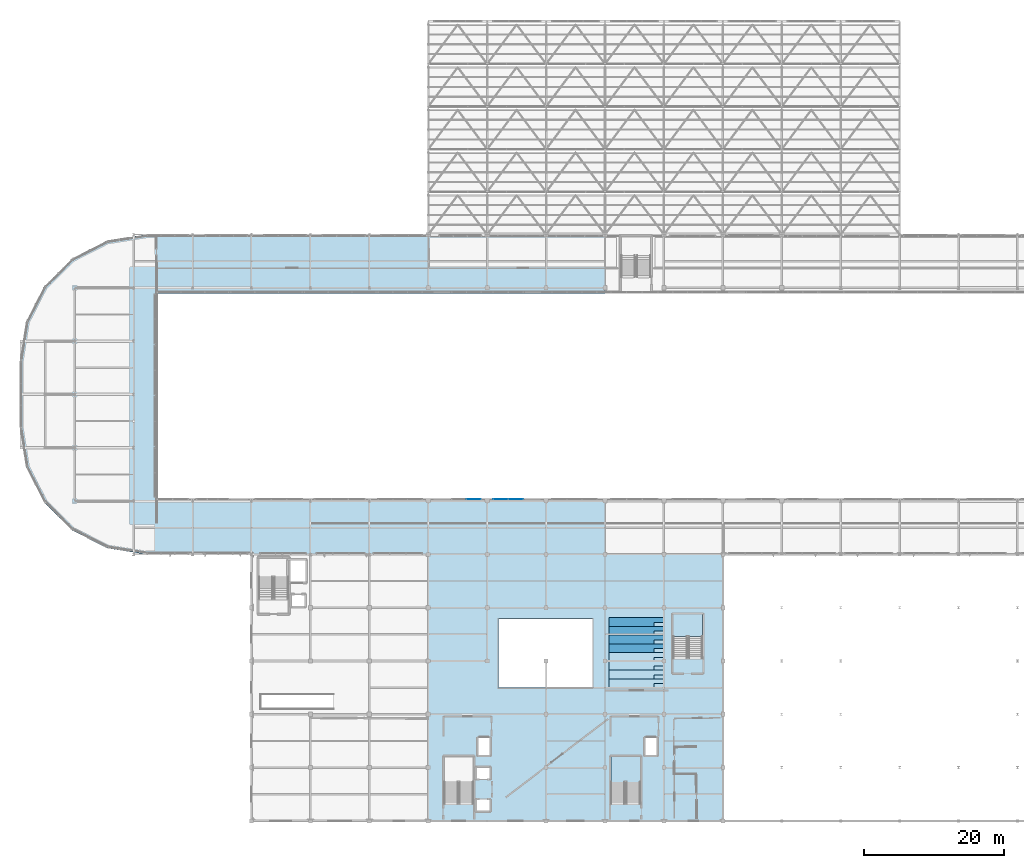
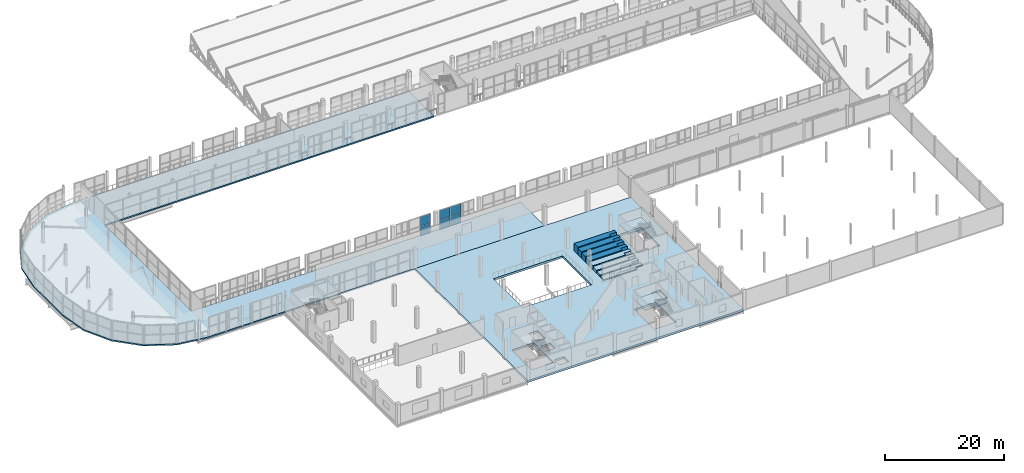
# One storey, part 166 of 217: 12 slabs, 6 plates, 4 elements without a shape of their own.
"""IFC4 building model written with IfcOpenShell, lengths in metres."""

from ifc_helpers import new_model, si_unit, direction, frame, origin, origin_2d, place, context, subcontext, project, spatial, polyline, rectangle, outline, extrude, material, layer, layer_set, type_object, element, aggregate, save


model = new_model("IFC4")

# Units and contexts
model_context = context("Model", 3, precision=1e-05, world=origin(), true_north=direction((0.0, 1.0)))
body_context = subcontext(model_context, "Body", "Model", "MODEL_VIEW")
ifc_project = project(units=[si_unit("LENGTHUNIT", "METRE"), si_unit("AREAUNIT", "SQUARE_METRE"), si_unit("VOLUMEUNIT", "CUBIC_METRE"), si_unit("PLANEANGLEUNIT", "RADIAN"), si_unit("MASSUNIT", "GRAM", prefix="KILO")], contexts=[model_context])

# Site, building, storey
site_placement = place(None, origin())
site = spatial("IfcSite", under=ifc_project, at=site_placement, CompositionType="ELEMENT")
building_placement = place(site_placement, origin())
building = spatial("IfcBuilding", under=site, at=building_placement, Name="Zuvorla Pavilion Media Centre", CompositionType="ELEMENT")
storey_placement = place(building_placement, frame((0.0, 0.0, 9.60009765625)))
storey = spatial("IfcBuildingStorey", under=building, at=storey_placement, Name="L02", CompositionType="ELEMENT", Elevation=9.60009765625)

# Curtain wall, plates
ifc_material_1 = material(Name="Unitised anodised aluminium and solar glass curtain wall", Category="aluminium")
curtain_wall_type_1 = type_object("IfcCurtainWallType", Name="CW-SYS-40", PredefinedType="USERDEFINED", material=ifc_material_1)
curtain_wall_1_placement = place(storey_placement, origin())
curtain_wall_1 = element("IfcCurtainWall", 1, at=curtain_wall_1_placement, inside=storey, type_object=curtain_wall_type_1, Name="L02 curtain wall CW40 61", ObjectType="CURTAIN WALL", PredefinedType="USERDEFINED")
ifc_material_2 = material(Name="Acoustic laminated solar glazing", Category="glass")
ifc_layer_1 = layer(ifc_material_2, 0.033935546875)
ifc_layer_set_1 = layer_set([ifc_layer_1], Name="Acoustic laminated solar glazing")
plate_type = type_object("IfcPlateType", Name="CW-PNL-34", PredefinedType="CURTAIN_PANEL", material=ifc_layer_set_1)
plate_1_placement = place(storey_placement, frame((73.30224609375, 51.840087890625, 0.02978515625), z_axis=(0.0, 0.0, 1.0), x_axis=(1.0, 0.0, 0.0)))
plate_1 = element("IfcPlate", 2, at=plate_1_placement, type_object=plate_type, Name="CW40 panel 2.1", PredefinedType="CURTAIN_PANEL", context=body_context, shape_type="SweptSolid", body=[
    extrude(rectangle(XDim=2.034912109375, YDim=0.033935546875, at=origin_2d()), origin(), (0.0, 0.0, 1.0), 1.9150390625),
])
plate_2_placement = place(storey_placement, frame((73.30224609375, 51.840087890625, 2.0048828125), z_axis=(0.0, 0.0, 1.0), x_axis=(1.0, 0.0, 0.0)))
plate_2 = element("IfcPlate", 3, at=plate_2_placement, type_object=plate_type, Name="CW40 panel 2.2", PredefinedType="CURTAIN_PANEL", context=body_context, shape_type="SweptSolid", body=[
    extrude(rectangle(XDim=2.034912109375, YDim=0.033935546875, at=origin_2d()), origin(), (0.0, 0.0, 1.0), 1.9150390625),
])
aggregate(curtain_wall_1, [plate_1, plate_2])

curtain_wall_type_2 = type_object("IfcCurtainWallType", Name="CW-SYS-41", PredefinedType="USERDEFINED", material=ifc_material_1)
curtain_wall_2_placement = place(storey_placement, origin())
curtain_wall_2 = element("IfcCurtainWall", 4, at=curtain_wall_2_placement, inside=storey, type_object=curtain_wall_type_2, Name="L02 curtain wall CW41 62", ObjectType="CURTAIN WALL", PredefinedType="USERDEFINED")
plate_3_placement = place(storey_placement, frame((77.122802734375, 51.840087890625, 0.02978515625), z_axis=(0.0, 0.0, 1.0), x_axis=(1.0, 0.0, 0.0)))
plate_3 = element("IfcPlate", 5, at=plate_3_placement, type_object=plate_type, Name="CW41 panel 1.1", PredefinedType="CURTAIN_PANEL", context=body_context, shape_type="SweptSolid", body=[
    extrude(rectangle(XDim=2.0849609375, YDim=0.033935546875, at=origin_2d()), origin(), (0.0, 0.0, 1.0), 1.9150390625),
])
plate_4_placement = place(storey_placement, frame((77.122802734375, 51.840087890625, 2.0048828125), z_axis=(0.0, 0.0, 1.0), x_axis=(1.0, 0.0, 0.0)))
plate_4 = element("IfcPlate", 6, at=plate_4_placement, type_object=plate_type, Name="CW41 panel 1.2", PredefinedType="CURTAIN_PANEL", context=body_context, shape_type="SweptSolid", body=[
    extrude(rectangle(XDim=2.0849609375, YDim=0.033935546875, at=origin_2d()), origin(), (0.0, 0.0, 1.0), 1.9150390625),
])
plate_5_placement = place(storey_placement, frame((79.267578125, 51.840087890625, 0.02978515625), z_axis=(0.0, 0.0, 1.0), x_axis=(1.0, 0.0, 0.0)))
plate_5 = element("IfcPlate", 7, at=plate_5_placement, type_object=plate_type, Name="CW41 panel 2.1", PredefinedType="CURTAIN_PANEL", context=body_context, shape_type="SweptSolid", body=[
    extrude(rectangle(XDim=2.0849609375, YDim=0.033935546875, at=origin_2d()), origin(), (0.0, 0.0, 1.0), 1.9150390625),
])
plate_6_placement = place(storey_placement, frame((79.267578125, 51.840087890625, 2.0048828125), z_axis=(0.0, 0.0, 1.0), x_axis=(1.0, 0.0, 0.0)))
plate_6 = element("IfcPlate", 8, at=plate_6_placement, type_object=plate_type, Name="CW41 panel 2.2", PredefinedType="CURTAIN_PANEL", context=body_context, shape_type="SweptSolid", body=[
    extrude(rectangle(XDim=2.0849609375, YDim=0.033935546875, at=origin_2d()), origin(), (0.0, 0.0, 1.0), 1.9150390625),
])
aggregate(curtain_wall_2, [plate_3, plate_4, plate_5, plate_6])

# Slabs
ifc_material_3 = material(Name="Concrete C40/50", Category="concrete")
ifc_layer_2 = layer(ifc_material_3, 0.260009765625)
ifc_layer_set_2 = layer_set([ifc_layer_2], Name="Concrete C40/50")
slab_type_1 = type_object("IfcSlabType", Name="SLB-FLR-260", PredefinedType="FLOOR", material=ifc_layer_set_2)
slab_1_placement = place(storey_placement, frame((0.0, 0.0, -0.260009765625)))
element("IfcSlab", 9, at=slab_1_placement, inside=storey, type_object=slab_type_1, Name="L02 floor slab RING", PredefinedType="FLOOR", context=body_context, shape_type="SweptSolid", body=[
    extrude(outline(polyline([(21.03759765625, 44.881103515625), (16.02001953125, 47.437744140625), (12.03759765625, 51.419921875), (9.48095703125, 56.437744140625), (8.60009765625, 62.0), (8.60009765625, 71.60009765625), (9.48095703125, 77.162353515625), (12.03759765625, 82.18017578125), (16.02001953125, 86.162353515625), (21.03759765625, 88.718994140625), (26.60009765625, 89.60009765625), (92.0, 89.60009765625), (92.0, 81.199951171875), (28.0, 81.199951171875), (28.0, 52.0), (92.0, 52.0), (92.0, 44.0), (26.60009765625, 44.0), (21.03759765625, 44.881103515625)])), origin(), (0.0, 0.0, 1.0), 0.260009765625),
])
ifc_layer_3 = layer(ifc_material_3, 0.419921875)
ifc_layer_set_3 = layer_set([ifc_layer_3], Name="Concrete C40/50")
slab_type_2 = type_object("IfcSlabType", Name="SLB-FLR-400", PredefinedType="FLOOR", material=ifc_layer_set_3)
slab_2_placement = place(storey_placement, frame((0.0, 0.0, -0.420166015625)))
element("IfcSlab", 10, at=slab_2_placement, inside=storey, type_object=slab_type_2, Name="L02 floor slab CB", PredefinedType="FLOOR", context=body_context, shape_type="SweptSolid", body=[
    extrude(outline(polyline([(66.800048828125, 6.0), (66.800048828125, 44.0), (108.800048828125, 44.0), (108.800048828125, 6.0), (66.800048828125, 6.0)]), holes=[polyline([(73.669921875, 9.030029296875), (73.669921875, 7.3701171875), (75.6298828125, 7.3701171875), (75.6298828125, 9.030029296875), (73.669921875, 9.030029296875)]), polyline([(69.050048828125, 15.14990234375), (69.050048828125, 8.449951171875), (73.25, 8.449951171875), (73.25, 15.14990234375), (69.050048828125, 15.14990234375)]), polyline([(92.85009765625, 15.14990234375), (92.85009765625, 8.449951171875), (97.050048828125, 8.449951171875), (97.050048828125, 15.14990234375), (92.85009765625, 15.14990234375)]), polyline([(73.669921875, 13.6298828125), (73.669921875, 11.969970703125), (75.6298828125, 11.969970703125), (75.6298828125, 13.6298828125), (73.669921875, 13.6298828125)]), polyline([(73.8701171875, 17.8798828125), (73.8701171875, 15.320068359375), (75.6298828125, 15.320068359375), (75.6298828125, 17.8798828125), (73.8701171875, 17.8798828125)]), polyline([(97.669921875, 17.8798828125), (97.669921875, 15.320068359375), (99.429931640625, 15.320068359375), (99.429931640625, 17.8798828125), (97.669921875, 17.8798828125)]), polyline([(76.800048828125, 34.800048828125), (76.800048828125, 25.0), (90.199951171875, 25.0), (90.199951171875, 34.800048828125), (76.800048828125, 34.800048828125)]), polyline([(101.699951171875, 35.449951171875), (101.699951171875, 29.199951171875), (105.89990234375, 29.199951171875), (105.89990234375, 35.449951171875), (101.699951171875, 35.449951171875)])]), origin(), (0.0, 0.0, 1.0), 0.420166015625),
])

# Stair, slab
stair_type = type_object("IfcStairType", Name="STR-DOG-420", PredefinedType="TWO_STRAIGHT_RUN_STAIR", material=ifc_material_3)
stair_1_placement = place(storey_placement, origin())
stair_1 = element("IfcStair", 11, at=stair_1_placement, inside=storey, type_object=stair_type, Name="L02 exit stair ST-02", PredefinedType="TWO_STRAIGHT_RUN_STAIR")
ifc_layer_4 = layer(ifc_material_3, 0.199951171875)
ifc_layer_set_4 = layer_set([ifc_layer_4], Name="Concrete C40/50")
slab_type_3 = type_object("IfcSlabType", Name="SLB-LND-200", PredefinedType="LANDING", material=ifc_layer_set_4)
slab_3_placement = place(storey_placement, frame((0.0, 0.0, 1.89990234375)))
slab_3 = element("IfcSlab", 12, at=slab_3_placement, type_object=slab_type_3, Name="ST-02 landing 1", PredefinedType="LANDING", context=body_context, shape_type="SweptSolid", body=[
    extrude(outline(polyline([(92.830078125, 11.510009765625), (97.070068359375, 11.510009765625), (97.070068359375, 15.169921875), (92.830078125, 15.169921875), (92.830078125, 11.510009765625)])), origin(), (0.0, 0.0, 1.0), 0.199951171875),
])
aggregate(stair_1, [slab_3])

stair_2_placement = place(storey_placement, origin())
stair_2 = element("IfcStair", 13, at=stair_2_placement, inside=storey, type_object=stair_type, Name="L02 exit stair ST-04", PredefinedType="TWO_STRAIGHT_RUN_STAIR")
slab_4_placement = place(storey_placement, frame((0.0, 0.0, 1.89990234375)))
slab_4 = element("IfcSlab", 14, at=slab_4_placement, type_object=slab_type_3, Name="ST-04 landing 1", PredefinedType="LANDING", context=body_context, shape_type="SweptSolid", body=[
    extrude(outline(polyline([(101.679931640625, 32.260009765625), (105.919921875, 32.260009765625), (105.919921875, 35.469970703125), (101.679931640625, 35.469970703125), (101.679931640625, 32.260009765625)])), origin(), (0.0, 0.0, 1.0), 0.199951171875),
])
aggregate(stair_2, [slab_4])

# Slabs
ifc_material_4 = material(Name="Precast concrete C40/50", Category="concrete")
ifc_layer_5 = layer(ifc_material_4, 0.14990234375)
ifc_layer_set_5 = layer_set([ifc_layer_5], Name="Precast concrete C40/50")
slab_type_4 = type_object("IfcSlabType", Name="SLB-TIER-150", PredefinedType="USERDEFINED", material=ifc_layer_set_5)
slab_5_placement = place(storey_placement, origin())
element("IfcSlab", 15, at=slab_5_placement, inside=storey, type_object=slab_type_4, Name="L02 SCR4 seating tier 1", ObjectType="SEATING TIER", PredefinedType="USERDEFINED", context=body_context, shape_type="SweptSolid", body=[
    extrude(outline(polyline([(92.60009765625, 25.0), (99.0, 25.0), (99.0, 25.5625), (100.39990234375, 25.5625), (100.39990234375, 26.25), (92.60009765625, 26.25), (92.60009765625, 25.0)])), origin(), (0.0, 0.0, 1.0), 0.199951171875),
])
slab_6_placement = place(storey_placement, origin())
element("IfcSlab", 16, at=slab_6_placement, inside=storey, type_object=slab_type_4, Name="L02 SCR4 seating tier 2", ObjectType="SEATING TIER", PredefinedType="USERDEFINED", context=body_context, shape_type="SweptSolid", body=[
    extrude(outline(polyline([(92.60009765625, 26.25), (99.0, 26.25), (99.0, 26.8125), (100.39990234375, 26.8125), (100.39990234375, 27.5), (92.60009765625, 27.5), (92.60009765625, 26.25)])), origin(), (0.0, 0.0, 1.0), 0.39990234375),
])
slab_7_placement = place(storey_placement, origin())
element("IfcSlab", 17, at=slab_7_placement, inside=storey, type_object=slab_type_4, Name="L02 SCR4 seating tier 3", ObjectType="SEATING TIER", PredefinedType="USERDEFINED", context=body_context, shape_type="SweptSolid", body=[
    extrude(outline(polyline([(92.60009765625, 27.5), (99.0, 27.5), (99.0, 28.0625), (100.39990234375, 28.0625), (100.39990234375, 28.75), (92.60009765625, 28.75), (92.60009765625, 27.5)])), origin(), (0.0, 0.0, 1.0), 0.599853515625),
])
slab_8_placement = place(storey_placement, origin())
element("IfcSlab", 18, at=slab_8_placement, inside=storey, type_object=slab_type_4, Name="L02 SCR4 seating tier 4", ObjectType="SEATING TIER", PredefinedType="USERDEFINED", context=body_context, shape_type="SweptSolid", body=[
    extrude(outline(polyline([(92.60009765625, 28.75), (99.0, 28.75), (99.0, 29.3125), (100.39990234375, 29.3125), (100.39990234375, 30.0), (92.60009765625, 30.0), (92.60009765625, 28.75)])), origin(), (0.0, 0.0, 1.0), 0.7998046875),
])
slab_9_placement = place(storey_placement, origin())
element("IfcSlab", 19, at=slab_9_placement, inside=storey, type_object=slab_type_4, Name="L02 SCR4 seating tier 5", ObjectType="SEATING TIER", PredefinedType="USERDEFINED", context=body_context, shape_type="SweptSolid", body=[
    extrude(outline(polyline([(92.60009765625, 30.0), (99.0, 30.0), (99.0, 30.5625), (100.39990234375, 30.5625), (100.39990234375, 31.25), (92.60009765625, 31.25), (92.60009765625, 30.0)])), origin(), (0.0, 0.0, 1.0), 1.0),
])
slab_10_placement = place(storey_placement, origin())
element("IfcSlab", 20, at=slab_10_placement, inside=storey, type_object=slab_type_4, Name="L02 SCR4 seating tier 6", ObjectType="SEATING TIER", PredefinedType="USERDEFINED", context=body_context, shape_type="SweptSolid", body=[
    extrude(outline(polyline([(92.60009765625, 31.25), (99.0, 31.25), (99.0, 31.8125), (100.39990234375, 31.8125), (100.39990234375, 32.5), (92.60009765625, 32.5), (92.60009765625, 31.25)])), origin(), (0.0, 0.0, 1.0), 1.199951171875),
])
slab_11_placement = place(storey_placement, origin())
element("IfcSlab", 21, at=slab_11_placement, inside=storey, type_object=slab_type_4, Name="L02 SCR4 seating tier 7", ObjectType="SEATING TIER", PredefinedType="USERDEFINED", context=body_context, shape_type="SweptSolid", body=[
    extrude(outline(polyline([(92.60009765625, 32.5), (99.0, 32.5), (99.0, 33.0625), (100.39990234375, 33.0625), (100.39990234375, 33.75), (92.60009765625, 33.75), (92.60009765625, 32.5)])), origin(), (0.0, 0.0, 1.0), 1.39990234375),
])
slab_12_placement = place(storey_placement, origin())
element("IfcSlab", 22, at=slab_12_placement, inside=storey, type_object=slab_type_4, Name="L02 SCR4 seating tier 8", ObjectType="SEATING TIER", PredefinedType="USERDEFINED", context=body_context, shape_type="SweptSolid", body=[
    extrude(outline(polyline([(92.60009765625, 33.75), (99.0, 33.75), (99.0, 34.3125), (100.39990234375, 34.3125), (100.39990234375, 35.0), (92.60009765625, 35.0), (92.60009765625, 33.75)])), origin(), (0.0, 0.0, 1.0), 1.599853515625),
])

save(model, "model.ifc")
